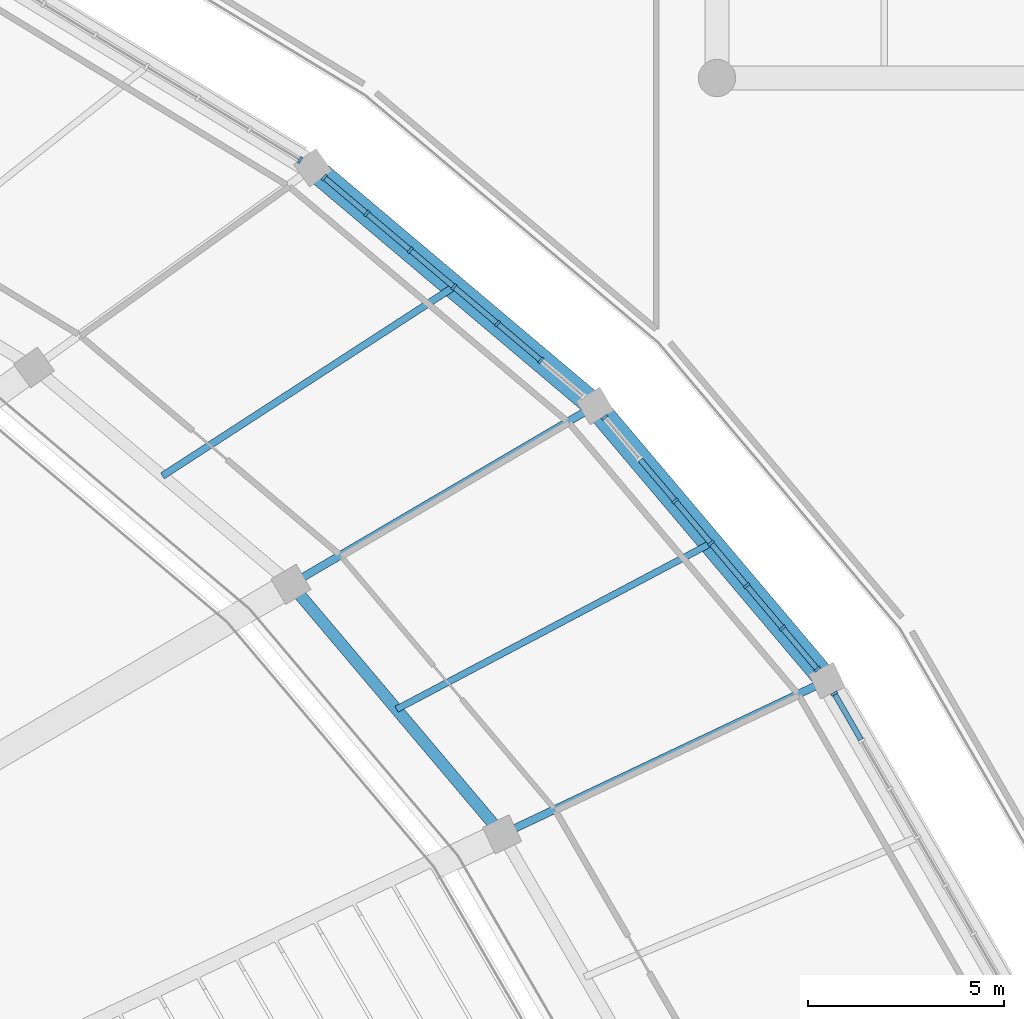
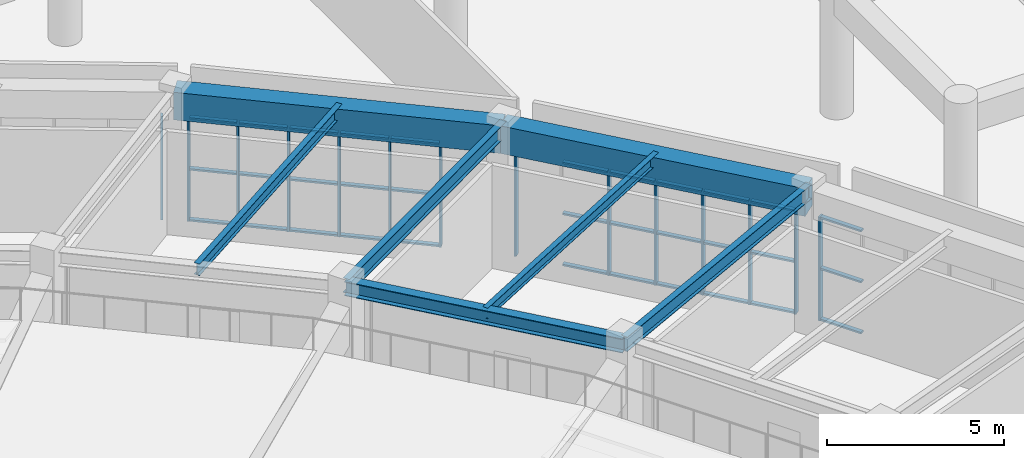
# One storey, part 71 of 137: 47 members, 7 beams, 4 elements without a shape of their own.
"""IFC4 building model written with IfcOpenShell, lengths in metres."""

from ifc_helpers import new_model, si_unit, direction, frame, origin, origin_2d, place, context, subcontext, project, spatial, rectangle, i_section, extrude, material, layer, layer_set, material_profile, profile_set, type_object, element, aggregate, save


model = new_model("IFC4")

# Units and contexts
model_context = context("Model", 3, precision=1e-05, world=origin(), true_north=direction((0.0, 1.0)))
body_context = subcontext(model_context, "Body", "Model", "MODEL_VIEW")
ifc_project = project(units=[si_unit("LENGTHUNIT", "METRE"), si_unit("AREAUNIT", "SQUARE_METRE"), si_unit("VOLUMEUNIT", "CUBIC_METRE"), si_unit("PLANEANGLEUNIT", "RADIAN"), si_unit("MASSUNIT", "GRAM", prefix="KILO")], contexts=[model_context])

# Site, building, storey
site_placement = place(None, origin())
site = spatial("IfcSite", under=ifc_project, at=site_placement, CompositionType="ELEMENT")
building_placement = place(site_placement, origin())
building = spatial("IfcBuilding", under=site, at=building_placement, Name="Mphavela Belvedere Stadium", CompositionType="ELEMENT")
storey_placement = place(building_placement, frame((0.0, 0.0, 19.199951171875)))
storey = spatial("IfcBuildingStorey", under=building, at=storey_placement, Name="L04", CompositionType="ELEMENT", Elevation=19.199951171875)

# Beams
ifc_material_1 = material(Name="Concrete C40/50", Category="concrete")
ifc_material_profile_1 = material_profile(ifc_material_1, rectangle(XDim=0.60009765625, YDim=0.949951171875, at=origin_2d()), Name="RC 600x950")
ifc_profile_set_1 = profile_set([ifc_material_profile_1], Name="Concrete C40/50")
beam_type_1 = type_object("IfcBeamType", Name="BM-ENTABLATURE-950", PredefinedType="SPANDREL", material=ifc_profile_set_1)
beam_1_placement = place(storey_placement, frame((207.242431640625, 130.66162109375, 4.074951171875), z_axis=(-0.645164552218, 0.764043650952, 0.0), x_axis=(-0.764043650952, -0.645164552218, 0.0)))
element("IfcBeam", 1, at=beam_1_placement, inside=storey, type_object=beam_type_1, Name="Circumferential girder L04 R4-05", PredefinedType="SPANDREL", context=body_context, shape_type="SweptSolid", body=[
    extrude(rectangle(XDim=0.60009765625, YDim=0.949951171875, at=origin_2d()), origin(), (0.0, 0.0, 1.0), 9.151123046875),
])
beam_2_placement = place(storey_placement, frame((201.33837890625, 137.653564453125, 4.074951171875), z_axis=(-0.76426547638, 0.644901761212, 0.0), x_axis=(-0.644901761212, -0.76426547638, 0.0)))
element("IfcBeam", 2, at=beam_2_placement, inside=storey, type_object=beam_type_1, Name="Circumferential girder L04 R4-06", PredefinedType="SPANDREL", context=body_context, shape_type="SweptSolid", body=[
    extrude(rectangle(XDim=0.60009765625, YDim=0.949951171875, at=origin_2d()), origin(), (0.0, 0.0, 1.0), 9.3984375),
])
ifc_material_2 = material(Name="Steel S355", Category="steel")
ifc_material_profile_2 = material_profile(ifc_material_2, i_section(OverallWidth=0.169921875, OverallDepth=0.360107421875, WebThickness=0.008056640625, FlangeThickness=0.0126953125, at=origin_2d()), Name="IPE 360")
ifc_profile_set_2 = profile_set([ifc_material_profile_2], Name="Steel S355")
beam_type_2 = type_object("IfcBeamType", Name="BM-JOIST-IPE360", PredefinedType="JOIST", material=ifc_profile_set_2)
beam_3_placement = place(storey_placement, frame((196.2880859375, 129.93115234375, 4.3701171875), z_axis=(0.884250771824, 0.467012390123, 0.0), x_axis=(-0.467012390123, 0.884250771824, 0.0)))
element("IfcBeam", 3, at=beam_3_placement, inside=storey, type_object=beam_type_2, Name="Concourse floor joist L04-05", PredefinedType="JOIST", context=body_context, shape_type="SweptSolid", body=[
    extrude(i_section(OverallWidth=0.169921875, OverallDepth=0.360107421875, WebThickness=0.008056640625, FlangeThickness=0.0126953125, at=origin_2d()), origin(), (0.0, 0.0, 1.0), 9.0498046875),
])
ifc_material_3 = material(Name="Steel S355", Category="steel")
ifc_material_profile_3 = material_profile(ifc_material_3, i_section(OverallWidth=0.179931640625, OverallDepth=0.39990234375, WebThickness=0.008544921875, FlangeThickness=0.013427734375, at=origin_2d()), Name="IPE 400")
ifc_profile_set_3 = profile_set([ifc_material_profile_3], Name="Steel S355")
beam_type_3 = type_object("IfcBeamType", Name="BM-JOIST-IPE400", PredefinedType="JOIST", material=ifc_profile_set_3)
beam_4_placement = place(storey_placement, frame((190.330810546875, 135.872802734375, 4.35009765625), z_axis=(0.838915278194, 0.544262028818, 0.0), x_axis=(-0.544262028818, 0.838915278194, 0.0)))
element("IfcBeam", 4, at=beam_4_placement, inside=storey, type_object=beam_type_3, Name="Concourse floor joist L04-06", PredefinedType="JOIST", context=body_context, shape_type="SweptSolid", body=[
    extrude(i_section(OverallWidth=0.179931640625, OverallDepth=0.39990234375, WebThickness=0.008544921875, FlangeThickness=0.013427734375, at=origin_2d()), origin(), (0.0, 0.0, 1.0), 8.840087890625),
])
ifc_material_4 = material(Name="Steel S355", Category="steel")
ifc_material_profile_4 = material_profile(ifc_material_4, i_section(OverallWidth=0.300048828125, OverallDepth=0.489990234375, WebThickness=0.011962890625, FlangeThickness=0.02294921875, at=origin_2d()), Name="HEA 500")
ifc_profile_set_4 = profile_set([ifc_material_profile_4], Name="Steel S355")
beam_type_4 = type_object("IfcBeamType", Name="BM-STEEL-HEA500", PredefinedType="BEAM", material=ifc_profile_set_4)
beam_5_placement = place(storey_placement, frame((198.9755859375, 126.748291015625, 4.304931640625), z_axis=(-0.645177396673, 0.764032804808, 0.0), x_axis=(-0.764032804808, -0.645177396673, 0.0)))
element("IfcBeam", 5, at=beam_5_placement, inside=storey, type_object=beam_type_4, Name="Circumferential girder L04 R3-05", PredefinedType="BEAM", context=body_context, shape_type="SweptSolid", body=[
    extrude(i_section(OverallWidth=0.300048828125, OverallDepth=0.489990234375, WebThickness=0.011962890625, FlangeThickness=0.02294921875, at=origin_2d()), origin(), (0.0, 0.0, 1.0), 8.331298828125),
])
ifc_material_5 = material(Name="Steel S355", Category="steel")
ifc_material_profile_5 = material_profile(ifc_material_5, i_section(OverallWidth=0.199951171875, OverallDepth=0.5, WebThickness=0.01025390625, FlangeThickness=0.01611328125, at=origin_2d()), Name="IPE 500")
ifc_profile_set_5 = profile_set([ifc_material_profile_5], Name="Steel S355")
beam_type_5 = type_object("IfcBeamType", Name="BM-STEEL-IPE500", PredefinedType="BEAM", material=ifc_profile_set_5)
beam_6_placement = place(storey_placement, frame((198.9755859375, 126.748291015625, 4.300048828125), z_axis=(0.903845427073, 0.427859140325, 0.0), x_axis=(-0.427859140325, 0.903845427073, 0.0)))
element("IfcBeam", 6, at=beam_6_placement, inside=storey, type_object=beam_type_5, Name="Radial concourse girder L04 R3R4-05", PredefinedType="BEAM", context=body_context, shape_type="SweptSolid", body=[
    extrude(i_section(OverallWidth=0.199951171875, OverallDepth=0.5, WebThickness=0.01025390625, FlangeThickness=0.01611328125, at=origin_2d()), origin(), (0.0, 0.0, 1.0), 9.146240234375),
])
beam_7_placement = place(storey_placement, frame((193.600341796875, 133.11376953125, 4.300048828125), z_axis=(0.862517779395, 0.506026758411, 0.0), x_axis=(-0.506026758411, 0.862517779395, 0.0)))
element("IfcBeam", 7, at=beam_7_placement, inside=storey, type_object=beam_type_5, Name="Radial concourse girder L04 R3R4-06", PredefinedType="BEAM", context=body_context, shape_type="SweptSolid", body=[
    extrude(i_section(OverallWidth=0.199951171875, OverallDepth=0.5, WebThickness=0.01025390625, FlangeThickness=0.01611328125, at=origin_2d()), origin(), (0.0, 0.0, 1.0), 8.971435546875),
])

# Curtain wall, member
ifc_material_6 = material(Name="Anodised bronze unitised curtain wall framing")
ifc_layer_1 = layer(ifc_material_6, 0.179931640625)
ifc_layer_set_1 = layer_set([ifc_layer_1], Name="Anodised bronze unitised curtain wall framing")
curtain_wall_type_1 = type_object("IfcCurtainWallType", Name="CW-UNIT-01", PredefinedType="USERDEFINED", material=ifc_layer_set_1)
curtain_wall_1_placement = place(storey_placement, origin())
curtain_wall_1 = element("IfcCurtainWall", 8, at=curtain_wall_1_placement, inside=storey, type_object=curtain_wall_type_1, Name="Belvedere colonnade curtain wall L04-04", ObjectType="UNITISED CURTAIN WALL", PredefinedType="USERDEFINED")
ifc_material_7 = material(Name="Anodised bronze extruded aluminium", Category="aluminium")
ifc_material_profile_6 = material_profile(ifc_material_7, rectangle(XDim=0.179931640625, YDim=0.06494140625, at=origin_2d()), Name="CW-MUL 180x65")
ifc_profile_set_6 = profile_set([ifc_material_profile_6], Name="Anodised bronze extruded aluminium")
member_type_1 = type_object("IfcMemberType", Name="CWM-180x65", PredefinedType="MULLION", material=ifc_profile_set_6)
member_1_placement = place(storey_placement, frame((207.432861328125, 130.33203125, 0.0), z_axis=(0.0, 0.0, 1.0), x_axis=(-0.865704159606, -0.500555998906, 0.0)))
member_1 = element("IfcMember", 9, at=member_1_placement, type_object=member_type_1, Name="CW-01 mullion 7", PredefinedType="MULLION", context=body_context, shape_type="SweptSolid", body=[
    extrude(rectangle(XDim=0.179931640625, YDim=0.06494140625, at=origin_2d()), origin(), (0.0, 0.0, 1.0), 3.570068359375),
])

# Curtain wall, members
ifc_material_8 = material(Name="Anodised bronze unitised curtain wall framing")
ifc_layer_2 = layer(ifc_material_8, 0.18505859375)
ifc_layer_set_2 = layer_set([ifc_layer_2], Name="Anodised bronze unitised curtain wall framing")
curtain_wall_type_2 = type_object("IfcCurtainWallType", Name="CW-UNIT-02", PredefinedType="USERDEFINED", material=ifc_layer_set_2)
curtain_wall_2_placement = place(storey_placement, origin())
curtain_wall_2 = element("IfcCurtainWall", 10, at=curtain_wall_2_placement, inside=storey, type_object=curtain_wall_type_2, Name="Belvedere colonnade curtain wall L04-05", ObjectType="UNITISED CURTAIN WALL", PredefinedType="USERDEFINED")
member_2_placement = place(storey_placement, frame((206.9970703125, 130.9521484375, 0.0), z_axis=(0.0, 0.0, 1.0), x_axis=(-0.764034579723, -0.645175294774, 0.0)))
member_2 = element("IfcMember", 11, at=member_2_placement, type_object=member_type_1, Name="CW-02 mullion 1", PredefinedType="MULLION", context=body_context, shape_type="SweptSolid", body=[
    extrude(rectangle(XDim=0.179931640625, YDim=0.06494140625, at=origin_2d()), origin(), (0.0, 0.0, 1.0), 3.570068359375),
])
member_3_placement = place(storey_placement, frame((206.10888671875, 132.004150390625, 0.0), z_axis=(0.0, 0.0, 1.0), x_axis=(-0.764034579723, -0.645175294774, 0.0)))
member_3 = element("IfcMember", 12, at=member_3_placement, type_object=member_type_1, Name="CW-02 mullion 2", PredefinedType="MULLION", context=body_context, shape_type="SweptSolid", body=[
    extrude(rectangle(XDim=0.179931640625, YDim=0.06494140625, at=origin_2d()), origin(), (0.0, 0.0, 1.0), 3.570068359375),
])
member_4_placement = place(storey_placement, frame((205.19970703125, 133.080810546875, 0.0), z_axis=(0.0, 0.0, 1.0), x_axis=(-0.764034579723, -0.645175294774, 0.0)))
member_4 = element("IfcMember", 13, at=member_4_placement, type_object=member_type_1, Name="CW-02 mullion 3", PredefinedType="MULLION", context=body_context, shape_type="SweptSolid", body=[
    extrude(rectangle(XDim=0.179931640625, YDim=0.06494140625, at=origin_2d()), origin(), (0.0, 0.0, 1.0), 3.570068359375),
])
member_5_placement = place(storey_placement, frame((204.290283203125, 134.157470703125, 0.0), z_axis=(0.0, 0.0, 1.0), x_axis=(-0.764034579723, -0.645175294774, 0.0)))
member_5 = element("IfcMember", 14, at=member_5_placement, type_object=member_type_1, Name="CW-02 mullion 4", PredefinedType="MULLION", context=body_context, shape_type="SweptSolid", body=[
    extrude(rectangle(XDim=0.179931640625, YDim=0.06494140625, at=origin_2d()), origin(), (0.0, 0.0, 1.0), 3.570068359375),
])
member_6_placement = place(storey_placement, frame((203.381103515625, 135.234130859375, 0.0), z_axis=(0.0, 0.0, 1.0), x_axis=(-0.764034579723, -0.645175294774, 0.0)))
member_6 = element("IfcMember", 15, at=member_6_placement, type_object=member_type_1, Name="CW-02 mullion 5", PredefinedType="MULLION", context=body_context, shape_type="SweptSolid", body=[
    extrude(rectangle(XDim=0.179931640625, YDim=0.06494140625, at=origin_2d()), origin(), (0.0, 0.0, 1.0), 3.570068359375),
])
member_7_placement = place(storey_placement, frame((201.583740234375, 137.36279296875, 0.0), z_axis=(0.0, 0.0, 1.0), x_axis=(-0.764034579723, -0.645175294774, 0.0)))
member_7 = element("IfcMember", 16, at=member_7_placement, type_object=member_type_1, Name="CW-02 mullion 7", PredefinedType="MULLION", context=body_context, shape_type="SweptSolid", body=[
    extrude(rectangle(XDim=0.179931640625, YDim=0.06494140625, at=origin_2d()), origin(), (0.0, 0.0, 1.0), 3.570068359375),
])

ifc_material_9 = material(Name="Anodised bronze unitised curtain wall framing")
ifc_layer_3 = layer(ifc_material_9, 0.18994140625)
ifc_layer_set_3 = layer_set([ifc_layer_3], Name="Anodised bronze unitised curtain wall framing")
curtain_wall_type_3 = type_object("IfcCurtainWallType", Name="CW-UNIT-03", PredefinedType="USERDEFINED", material=ifc_layer_set_3)
curtain_wall_3_placement = place(storey_placement, origin())
curtain_wall_3 = element("IfcCurtainWall", 17, at=curtain_wall_3_placement, inside=storey, type_object=curtain_wall_type_3, Name="Belvedere colonnade curtain wall L04-06", ObjectType="UNITISED CURTAIN WALL", PredefinedType="USERDEFINED")
member_8_placement = place(storey_placement, frame((199.9638671875, 138.813232421875, 0.0), z_axis=(0.0, 0.0, 1.0), x_axis=(-0.644916038089, -0.764253429051, 0.0)))
member_8 = element("IfcMember", 18, at=member_8_placement, type_object=member_type_1, Name="CW-03 mullion 2", PredefinedType="MULLION", context=body_context, shape_type="SweptSolid", body=[
    extrude(rectangle(XDim=0.179931640625, YDim=0.06494140625, at=origin_2d()), origin(), (0.0, 0.0, 1.0), 3.570068359375),
])
member_9_placement = place(storey_placement, frame((198.85546875, 139.74853515625, 0.0), z_axis=(0.0, 0.0, 1.0), x_axis=(-0.644916038089, -0.764253429051, 0.0)))
member_9 = element("IfcMember", 19, at=member_9_placement, type_object=member_type_1, Name="CW-03 mullion 3", PredefinedType="MULLION", context=body_context, shape_type="SweptSolid", body=[
    extrude(rectangle(XDim=0.179931640625, YDim=0.06494140625, at=origin_2d()), origin(), (0.0, 0.0, 1.0), 3.570068359375),
])
member_10_placement = place(storey_placement, frame((197.7470703125, 140.68408203125, 0.0), z_axis=(0.0, 0.0, 1.0), x_axis=(-0.644916038089, -0.764253429051, 0.0)))
member_10 = element("IfcMember", 20, at=member_10_placement, type_object=member_type_1, Name="CW-03 mullion 4", PredefinedType="MULLION", context=body_context, shape_type="SweptSolid", body=[
    extrude(rectangle(XDim=0.179931640625, YDim=0.06494140625, at=origin_2d()), origin(), (0.0, 0.0, 1.0), 3.570068359375),
])
member_11_placement = place(storey_placement, frame((196.638427734375, 141.619384765625, 0.0), z_axis=(0.0, 0.0, 1.0), x_axis=(-0.644916038089, -0.764253429051, 0.0)))
member_11 = element("IfcMember", 21, at=member_11_placement, type_object=member_type_1, Name="CW-03 mullion 5", PredefinedType="MULLION", context=body_context, shape_type="SweptSolid", body=[
    extrude(rectangle(XDim=0.179931640625, YDim=0.06494140625, at=origin_2d()), origin(), (0.0, 0.0, 1.0), 3.570068359375),
])
member_12_placement = place(storey_placement, frame((195.530029296875, 142.5546875, 0.0), z_axis=(0.0, 0.0, 1.0), x_axis=(-0.644916038089, -0.764253429051, 0.0)))
member_12 = element("IfcMember", 22, at=member_12_placement, type_object=member_type_1, Name="CW-03 mullion 6", PredefinedType="MULLION", context=body_context, shape_type="SweptSolid", body=[
    extrude(rectangle(XDim=0.179931640625, YDim=0.06494140625, at=origin_2d()), origin(), (0.0, 0.0, 1.0), 3.570068359375),
])
member_13_placement = place(storey_placement, frame((194.446533203125, 143.46923828125, 0.0), z_axis=(0.0, 0.0, 1.0), x_axis=(-0.644916038089, -0.764253429051, 0.0)))
member_13 = element("IfcMember", 23, at=member_13_placement, type_object=member_type_1, Name="CW-03 mullion 7", PredefinedType="MULLION", context=body_context, shape_type="SweptSolid", body=[
    extrude(rectangle(XDim=0.179931640625, YDim=0.06494140625, at=origin_2d()), origin(), (0.0, 0.0, 1.0), 3.570068359375),
])

# Curtain wall, member
ifc_material_10 = material(Name="Anodised bronze unitised curtain wall framing")
ifc_layer_4 = layer(ifc_material_10, 0.195068359375)
ifc_layer_set_4 = layer_set([ifc_layer_4], Name="Anodised bronze unitised curtain wall framing")
curtain_wall_type_4 = type_object("IfcCurtainWallType", Name="CW-UNIT-04", PredefinedType="USERDEFINED", material=ifc_layer_set_4)
curtain_wall_4_placement = place(storey_placement, origin())
curtain_wall_4 = element("IfcCurtainWall", 24, at=curtain_wall_4_placement, inside=storey, type_object=curtain_wall_type_4, Name="Belvedere colonnade curtain wall L04-07", ObjectType="UNITISED CURTAIN WALL", PredefinedType="USERDEFINED")
member_14_placement = place(storey_placement, frame((193.83056640625, 143.912353515625, 0.0), z_axis=(0.0, 0.0, 1.0), x_axis=(-0.519735341101, -0.854327323226, 0.0)))
member_14 = element("IfcMember", 25, at=member_14_placement, type_object=member_type_1, Name="CW-04 mullion 1", PredefinedType="MULLION", context=body_context, shape_type="SweptSolid", body=[
    extrude(rectangle(XDim=0.179931640625, YDim=0.06494140625, at=origin_2d()), origin(), (0.0, 0.0, 1.0), 3.570068359375),
])
aggregate(curtain_wall_4, [member_14])

# Member
ifc_material_11 = material(Name="Anodised bronze extruded aluminium", Category="aluminium")
ifc_material_profile_7 = material_profile(ifc_material_11, rectangle(XDim=0.139892578125, YDim=0.06005859375, at=origin_2d()), Name="CW-TRN 140x60")
ifc_profile_set_7 = profile_set([ifc_material_profile_7], Name="Anodised bronze extruded aluminium")
member_type_2 = type_object("IfcMemberType", Name="CWT-140x60", PredefinedType="USERDEFINED", material=ifc_profile_set_7)
member_15_placement = place(storey_placement, frame((208.111328125, 129.158935546875, 0.030029296875), z_axis=(-0.500585088296, 0.865687339272, 0.0), x_axis=(-0.865687339272, -0.500585088296, 0.0)))
member_15 = element("IfcMember", 26, at=member_15_placement, type_object=member_type_2, Name="CW-01 transom 6.1", ObjectType="TRANSOM", PredefinedType="USERDEFINED", context=body_context, shape_type="SweptSolid", body=[
    extrude(rectangle(XDim=0.139892578125, YDim=0.06005859375, at=origin_2d()), origin(), (0.0, 0.0, 1.0), 1.32275390625),
])

member_16_placement = place(storey_placement, frame((208.111328125, 129.158935546875, 1.78515625), z_axis=(-0.500585088296, 0.865687339272, 0.0), x_axis=(-0.865687339272, -0.500585088296, 0.0)))
member_16 = element("IfcMember", 27, at=member_16_placement, type_object=member_type_2, Name="CW-01 transom 6.2", ObjectType="TRANSOM", PredefinedType="USERDEFINED", context=body_context, shape_type="SweptSolid", body=[
    extrude(rectangle(XDim=0.139892578125, YDim=0.06005859375, at=origin_2d()), origin(), (0.0, 0.0, 1.0), 1.32275390625),
])

member_17_placement = place(storey_placement, frame((208.111328125, 129.158935546875, 3.5400390625), z_axis=(-0.500585088296, 0.865687339272, 0.0), x_axis=(-0.865687339272, -0.500585088296, 0.0)))
member_17 = element("IfcMember", 28, at=member_17_placement, type_object=member_type_2, Name="CW-01 transom 6.3", ObjectType="TRANSOM", PredefinedType="USERDEFINED", context=body_context, shape_type="SweptSolid", body=[
    extrude(rectangle(XDim=0.139892578125, YDim=0.06005859375, at=origin_2d()), origin(), (0.0, 0.0, 1.0), 1.32275390625),
])

aggregate(curtain_wall_1, [member_1, member_15, member_16, member_17])

member_18_placement = place(storey_placement, frame((206.97607421875, 130.97705078125, 0.030029296875), z_axis=(-0.645132526384, 0.764070692673, 0.0), x_axis=(-0.764070692673, -0.645132526384, 0.0)))
member_18 = element("IfcMember", 29, at=member_18_placement, type_object=member_type_2, Name="CW-02 transom 1.1", ObjectType="TRANSOM", PredefinedType="USERDEFINED", context=body_context, shape_type="SweptSolid", body=[
    extrude(rectangle(XDim=0.139892578125, YDim=0.06005859375, at=origin_2d()), origin(), (0.0, 0.0, 1.0), 1.311767578125),
])

member_19_placement = place(storey_placement, frame((206.97607421875, 130.97705078125, 1.78515625), z_axis=(-0.645132526384, 0.764070692673, 0.0), x_axis=(-0.764070692673, -0.645132526384, 0.0)))
member_19 = element("IfcMember", 30, at=member_19_placement, type_object=member_type_2, Name="CW-02 transom 1.2", ObjectType="TRANSOM", PredefinedType="USERDEFINED", context=body_context, shape_type="SweptSolid", body=[
    extrude(rectangle(XDim=0.139892578125, YDim=0.06005859375, at=origin_2d()), origin(), (0.0, 0.0, 1.0), 1.311767578125),
])

member_20_placement = place(storey_placement, frame((206.97607421875, 130.97705078125, 3.5400390625), z_axis=(-0.645132526384, 0.764070692673, 0.0), x_axis=(-0.764070692673, -0.645132526384, 0.0)))
member_20 = element("IfcMember", 31, at=member_20_placement, type_object=member_type_2, Name="CW-02 transom 1.3", ObjectType="TRANSOM", PredefinedType="USERDEFINED", context=body_context, shape_type="SweptSolid", body=[
    extrude(rectangle(XDim=0.139892578125, YDim=0.06005859375, at=origin_2d()), origin(), (0.0, 0.0, 1.0), 1.311767578125),
])

member_21_placement = place(storey_placement, frame((206.087890625, 132.029052734375, 0.030029296875), z_axis=(-0.645315102813, 0.763916499417, 0.0), x_axis=(-0.763916499417, -0.645315102813, 0.0)))
member_21 = element("IfcMember", 32, at=member_21_placement, type_object=member_type_2, Name="CW-02 transom 2.1", ObjectType="TRANSOM", PredefinedType="USERDEFINED", context=body_context, shape_type="SweptSolid", body=[
    extrude(rectangle(XDim=0.139892578125, YDim=0.06005859375, at=origin_2d()), origin(), (0.0, 0.0, 1.0), 1.34423828125),
])

member_22_placement = place(storey_placement, frame((206.087890625, 132.029052734375, 1.78515625), z_axis=(-0.645315102813, 0.763916499417, 0.0), x_axis=(-0.763916499417, -0.645315102813, 0.0)))
member_22 = element("IfcMember", 33, at=member_22_placement, type_object=member_type_2, Name="CW-02 transom 2.2", ObjectType="TRANSOM", PredefinedType="USERDEFINED", context=body_context, shape_type="SweptSolid", body=[
    extrude(rectangle(XDim=0.139892578125, YDim=0.06005859375, at=origin_2d()), origin(), (0.0, 0.0, 1.0), 1.34423828125),
])

member_23_placement = place(storey_placement, frame((206.087890625, 132.029052734375, 3.5400390625), z_axis=(-0.645315102813, 0.763916499417, 0.0), x_axis=(-0.763916499417, -0.645315102813, 0.0)))
member_23 = element("IfcMember", 34, at=member_23_placement, type_object=member_type_2, Name="CW-02 transom 2.3", ObjectType="TRANSOM", PredefinedType="USERDEFINED", context=body_context, shape_type="SweptSolid", body=[
    extrude(rectangle(XDim=0.139892578125, YDim=0.06005859375, at=origin_2d()), origin(), (0.0, 0.0, 1.0), 1.34423828125),
])

member_24_placement = place(storey_placement, frame((205.1787109375, 133.105712890625, 0.030029296875), z_axis=(-0.645315102813, 0.763916499417, 0.0), x_axis=(-0.763916499417, -0.645315102813, 0.0)))
member_24 = element("IfcMember", 35, at=member_24_placement, type_object=member_type_2, Name="CW-02 transom 3.1", ObjectType="TRANSOM", PredefinedType="USERDEFINED", context=body_context, shape_type="SweptSolid", body=[
    extrude(rectangle(XDim=0.139892578125, YDim=0.06005859375, at=origin_2d()), origin(), (0.0, 0.0, 1.0), 1.34423828125),
])

member_25_placement = place(storey_placement, frame((205.1787109375, 133.105712890625, 1.78515625), z_axis=(-0.645315102813, 0.763916499417, 0.0), x_axis=(-0.763916499417, -0.645315102813, 0.0)))
member_25 = element("IfcMember", 36, at=member_25_placement, type_object=member_type_2, Name="CW-02 transom 3.2", ObjectType="TRANSOM", PredefinedType="USERDEFINED", context=body_context, shape_type="SweptSolid", body=[
    extrude(rectangle(XDim=0.139892578125, YDim=0.06005859375, at=origin_2d()), origin(), (0.0, 0.0, 1.0), 1.34423828125),
])

member_26_placement = place(storey_placement, frame((205.1787109375, 133.105712890625, 3.5400390625), z_axis=(-0.645315102813, 0.763916499417, 0.0), x_axis=(-0.763916499417, -0.645315102813, 0.0)))
member_26 = element("IfcMember", 37, at=member_26_placement, type_object=member_type_2, Name="CW-02 transom 3.3", ObjectType="TRANSOM", PredefinedType="USERDEFINED", context=body_context, shape_type="SweptSolid", body=[
    extrude(rectangle(XDim=0.139892578125, YDim=0.06005859375, at=origin_2d()), origin(), (0.0, 0.0, 1.0), 1.34423828125),
])

member_27_placement = place(storey_placement, frame((204.26953125, 134.182373046875, 0.030029296875), z_axis=(-0.645225575493, 0.763992118238, 0.0), x_axis=(-0.763992118238, -0.645225575493, 0.0)))
member_27 = element("IfcMember", 38, at=member_27_placement, type_object=member_type_2, Name="CW-02 transom 4.1", ObjectType="TRANSOM", PredefinedType="USERDEFINED", context=body_context, shape_type="SweptSolid", body=[
    extrude(rectangle(XDim=0.139892578125, YDim=0.06005859375, at=origin_2d()), origin(), (0.0, 0.0, 1.0), 1.344482421875),
])

member_28_placement = place(storey_placement, frame((204.26953125, 134.182373046875, 1.78515625), z_axis=(-0.645225575493, 0.763992118238, 0.0), x_axis=(-0.763992118238, -0.645225575493, 0.0)))
member_28 = element("IfcMember", 39, at=member_28_placement, type_object=member_type_2, Name="CW-02 transom 4.2", ObjectType="TRANSOM", PredefinedType="USERDEFINED", context=body_context, shape_type="SweptSolid", body=[
    extrude(rectangle(XDim=0.139892578125, YDim=0.06005859375, at=origin_2d()), origin(), (0.0, 0.0, 1.0), 1.344482421875),
])

member_29_placement = place(storey_placement, frame((204.26953125, 134.182373046875, 3.5400390625), z_axis=(-0.645225575493, 0.763992118238, 0.0), x_axis=(-0.763992118238, -0.645225575493, 0.0)))
member_29 = element("IfcMember", 40, at=member_29_placement, type_object=member_type_2, Name="CW-02 transom 4.3", ObjectType="TRANSOM", PredefinedType="USERDEFINED", context=body_context, shape_type="SweptSolid", body=[
    extrude(rectangle(XDim=0.139892578125, YDim=0.06005859375, at=origin_2d()), origin(), (0.0, 0.0, 1.0), 1.344482421875),
])

member_30_placement = place(storey_placement, frame((203.3603515625, 135.259033203125, 0.030029296875), z_axis=(-0.645225575493, 0.763992118238, 0.0), x_axis=(-0.763992118238, -0.645225575493, 0.0)))
member_30 = element("IfcMember", 41, at=member_30_placement, type_object=member_type_2, Name="CW-02 transom 5.1", ObjectType="TRANSOM", PredefinedType="USERDEFINED", context=body_context, shape_type="SweptSolid", body=[
    extrude(rectangle(XDim=0.139892578125, YDim=0.06005859375, at=origin_2d()), origin(), (0.0, 0.0, 1.0), 1.344482421875),
])

member_31_placement = place(storey_placement, frame((203.3603515625, 135.259033203125, 1.78515625), z_axis=(-0.645225575493, 0.763992118238, 0.0), x_axis=(-0.763992118238, -0.645225575493, 0.0)))
member_31 = element("IfcMember", 42, at=member_31_placement, type_object=member_type_2, Name="CW-02 transom 5.2", ObjectType="TRANSOM", PredefinedType="USERDEFINED", context=body_context, shape_type="SweptSolid", body=[
    extrude(rectangle(XDim=0.139892578125, YDim=0.06005859375, at=origin_2d()), origin(), (0.0, 0.0, 1.0), 1.344482421875),
])

member_32_placement = place(storey_placement, frame((203.3603515625, 135.259033203125, 3.5400390625), z_axis=(-0.645225575493, 0.763992118238, 0.0), x_axis=(-0.763992118238, -0.645225575493, 0.0)))
member_32 = element("IfcMember", 43, at=member_32_placement, type_object=member_type_2, Name="CW-02 transom 5.3", ObjectType="TRANSOM", PredefinedType="USERDEFINED", context=body_context, shape_type="SweptSolid", body=[
    extrude(rectangle(XDim=0.139892578125, YDim=0.06005859375, at=origin_2d()), origin(), (0.0, 0.0, 1.0), 1.344482421875),
])

aggregate(curtain_wall_2, [member_2, member_3, member_4, member_5, member_6, member_7, member_18, member_19, member_20, member_21, member_22, member_23, member_24, member_25, member_26, member_27, member_28, member_29, member_30, member_31, member_32])

member_33_placement = place(storey_placement, frame((199.93896484375, 138.834228515625, 0.030029296875), z_axis=(-0.764234485314, 0.644938486569, 0.0), x_axis=(-0.644938486569, -0.764234485314, 0.0)))
member_33 = element("IfcMember", 44, at=member_33_placement, type_object=member_type_2, Name="CW-03 transom 2.1", ObjectType="TRANSOM", PredefinedType="USERDEFINED", context=body_context, shape_type="SweptSolid", body=[
    extrude(rectangle(XDim=0.139892578125, YDim=0.06005859375, at=origin_2d()), origin(), (0.0, 0.0, 1.0), 1.385498046875),
])

member_34_placement = place(storey_placement, frame((199.93896484375, 138.834228515625, 1.78515625), z_axis=(-0.764234485314, 0.644938486569, 0.0), x_axis=(-0.644938486569, -0.764234485314, 0.0)))
member_34 = element("IfcMember", 45, at=member_34_placement, type_object=member_type_2, Name="CW-03 transom 2.2", ObjectType="TRANSOM", PredefinedType="USERDEFINED", context=body_context, shape_type="SweptSolid", body=[
    extrude(rectangle(XDim=0.139892578125, YDim=0.06005859375, at=origin_2d()), origin(), (0.0, 0.0, 1.0), 1.385498046875),
])

member_35_placement = place(storey_placement, frame((199.93896484375, 138.834228515625, 3.5400390625), z_axis=(-0.764234485314, 0.644938486569, 0.0), x_axis=(-0.644938486569, -0.764234485314, 0.0)))
member_35 = element("IfcMember", 46, at=member_35_placement, type_object=member_type_2, Name="CW-03 transom 2.3", ObjectType="TRANSOM", PredefinedType="USERDEFINED", context=body_context, shape_type="SweptSolid", body=[
    extrude(rectangle(XDim=0.139892578125, YDim=0.06005859375, at=origin_2d()), origin(), (0.0, 0.0, 1.0), 1.385498046875),
])

member_36_placement = place(storey_placement, frame((198.83056640625, 139.76953125, 0.030029296875), z_axis=(-0.764234485314, 0.644938486569, 0.0), x_axis=(-0.644938486569, -0.764234485314, 0.0)))
member_36 = element("IfcMember", 47, at=member_36_placement, type_object=member_type_2, Name="CW-03 transom 3.1", ObjectType="TRANSOM", PredefinedType="USERDEFINED", context=body_context, shape_type="SweptSolid", body=[
    extrude(rectangle(XDim=0.139892578125, YDim=0.06005859375, at=origin_2d()), origin(), (0.0, 0.0, 1.0), 1.385498046875),
])

member_37_placement = place(storey_placement, frame((198.83056640625, 139.76953125, 1.78515625), z_axis=(-0.764234485314, 0.644938486569, 0.0), x_axis=(-0.644938486569, -0.764234485314, 0.0)))
member_37 = element("IfcMember", 48, at=member_37_placement, type_object=member_type_2, Name="CW-03 transom 3.2", ObjectType="TRANSOM", PredefinedType="USERDEFINED", context=body_context, shape_type="SweptSolid", body=[
    extrude(rectangle(XDim=0.139892578125, YDim=0.06005859375, at=origin_2d()), origin(), (0.0, 0.0, 1.0), 1.385498046875),
])

member_38_placement = place(storey_placement, frame((198.83056640625, 139.76953125, 3.5400390625), z_axis=(-0.764234485314, 0.644938486569, 0.0), x_axis=(-0.644938486569, -0.764234485314, 0.0)))
member_38 = element("IfcMember", 49, at=member_38_placement, type_object=member_type_2, Name="CW-03 transom 3.3", ObjectType="TRANSOM", PredefinedType="USERDEFINED", context=body_context, shape_type="SweptSolid", body=[
    extrude(rectangle(XDim=0.139892578125, YDim=0.06005859375, at=origin_2d()), origin(), (0.0, 0.0, 1.0), 1.385498046875),
])

member_39_placement = place(storey_placement, frame((197.72216796875, 140.705078125, 0.030029296875), z_axis=(-0.764321340715, 0.644835551228, 0.0), x_axis=(-0.644835551228, -0.764321340715, 0.0)))
member_39 = element("IfcMember", 50, at=member_39_placement, type_object=member_type_2, Name="CW-03 transom 4.1", ObjectType="TRANSOM", PredefinedType="USERDEFINED", context=body_context, shape_type="SweptSolid", body=[
    extrude(rectangle(XDim=0.139892578125, YDim=0.06005859375, at=origin_2d()), origin(), (0.0, 0.0, 1.0), 1.38525390625),
])

member_40_placement = place(storey_placement, frame((197.72216796875, 140.705078125, 1.78515625), z_axis=(-0.764321340715, 0.644835551228, 0.0), x_axis=(-0.644835551228, -0.764321340715, 0.0)))
member_40 = element("IfcMember", 51, at=member_40_placement, type_object=member_type_2, Name="CW-03 transom 4.2", ObjectType="TRANSOM", PredefinedType="USERDEFINED", context=body_context, shape_type="SweptSolid", body=[
    extrude(rectangle(XDim=0.139892578125, YDim=0.06005859375, at=origin_2d()), origin(), (0.0, 0.0, 1.0), 1.38525390625),
])

member_41_placement = place(storey_placement, frame((197.72216796875, 140.705078125, 3.5400390625), z_axis=(-0.764321340715, 0.644835551228, 0.0), x_axis=(-0.644835551228, -0.764321340715, 0.0)))
member_41 = element("IfcMember", 52, at=member_41_placement, type_object=member_type_2, Name="CW-03 transom 4.3", ObjectType="TRANSOM", PredefinedType="USERDEFINED", context=body_context, shape_type="SweptSolid", body=[
    extrude(rectangle(XDim=0.139892578125, YDim=0.06005859375, at=origin_2d()), origin(), (0.0, 0.0, 1.0), 1.38525390625),
])

member_42_placement = place(storey_placement, frame((196.61376953125, 141.640380859375, 0.030029296875), z_axis=(-0.764321340715, 0.644835551228, 0.0), x_axis=(-0.644835551228, -0.764321340715, 0.0)))
member_42 = element("IfcMember", 53, at=member_42_placement, type_object=member_type_2, Name="CW-03 transom 5.1", ObjectType="TRANSOM", PredefinedType="USERDEFINED", context=body_context, shape_type="SweptSolid", body=[
    extrude(rectangle(XDim=0.139892578125, YDim=0.06005859375, at=origin_2d()), origin(), (0.0, 0.0, 1.0), 1.38525390625),
])

member_43_placement = place(storey_placement, frame((196.61376953125, 141.640380859375, 1.78515625), z_axis=(-0.764321340715, 0.644835551228, 0.0), x_axis=(-0.644835551228, -0.764321340715, 0.0)))
member_43 = element("IfcMember", 54, at=member_43_placement, type_object=member_type_2, Name="CW-03 transom 5.2", ObjectType="TRANSOM", PredefinedType="USERDEFINED", context=body_context, shape_type="SweptSolid", body=[
    extrude(rectangle(XDim=0.139892578125, YDim=0.06005859375, at=origin_2d()), origin(), (0.0, 0.0, 1.0), 1.38525390625),
])

member_44_placement = place(storey_placement, frame((196.61376953125, 141.640380859375, 3.5400390625), z_axis=(-0.764321340715, 0.644835551228, 0.0), x_axis=(-0.644835551228, -0.764321340715, 0.0)))
member_44 = element("IfcMember", 55, at=member_44_placement, type_object=member_type_2, Name="CW-03 transom 5.3", ObjectType="TRANSOM", PredefinedType="USERDEFINED", context=body_context, shape_type="SweptSolid", body=[
    extrude(rectangle(XDim=0.139892578125, YDim=0.06005859375, at=origin_2d()), origin(), (0.0, 0.0, 1.0), 1.38525390625),
])

member_45_placement = place(storey_placement, frame((195.505126953125, 142.57568359375, 0.030029296875), z_axis=(-0.764227553542, 0.644946700439, 0.0), x_axis=(-0.644946700439, -0.764227553542, 0.0)))
member_45 = element("IfcMember", 56, at=member_45_placement, type_object=member_type_2, Name="CW-03 transom 6.1", ObjectType="TRANSOM", PredefinedType="USERDEFINED", context=body_context, shape_type="SweptSolid", body=[
    extrude(rectangle(XDim=0.139892578125, YDim=0.06005859375, at=origin_2d()), origin(), (0.0, 0.0, 1.0), 1.35302734375),
])

member_46_placement = place(storey_placement, frame((195.505126953125, 142.57568359375, 1.78515625), z_axis=(-0.764227553542, 0.644946700439, 0.0), x_axis=(-0.644946700439, -0.764227553542, 0.0)))
member_46 = element("IfcMember", 57, at=member_46_placement, type_object=member_type_2, Name="CW-03 transom 6.2", ObjectType="TRANSOM", PredefinedType="USERDEFINED", context=body_context, shape_type="SweptSolid", body=[
    extrude(rectangle(XDim=0.139892578125, YDim=0.06005859375, at=origin_2d()), origin(), (0.0, 0.0, 1.0), 1.35302734375),
])

member_47_placement = place(storey_placement, frame((195.505126953125, 142.57568359375, 3.5400390625), z_axis=(-0.764227553542, 0.644946700439, 0.0), x_axis=(-0.644946700439, -0.764227553542, 0.0)))
member_47 = element("IfcMember", 58, at=member_47_placement, type_object=member_type_2, Name="CW-03 transom 6.3", ObjectType="TRANSOM", PredefinedType="USERDEFINED", context=body_context, shape_type="SweptSolid", body=[
    extrude(rectangle(XDim=0.139892578125, YDim=0.06005859375, at=origin_2d()), origin(), (0.0, 0.0, 1.0), 1.35302734375),
])

aggregate(curtain_wall_3, [member_8, member_9, member_10, member_11, member_12, member_13, member_33, member_34, member_35, member_36, member_37, member_38, member_39, member_40, member_41, member_42, member_43, member_44, member_45, member_46, member_47])

save(model, "model.ifc")
